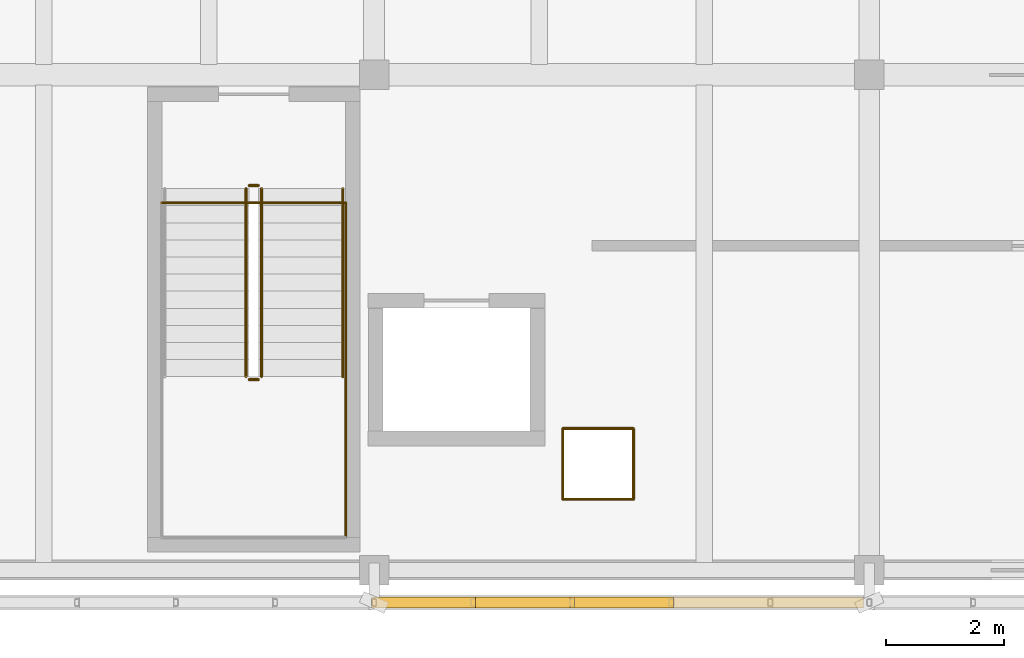
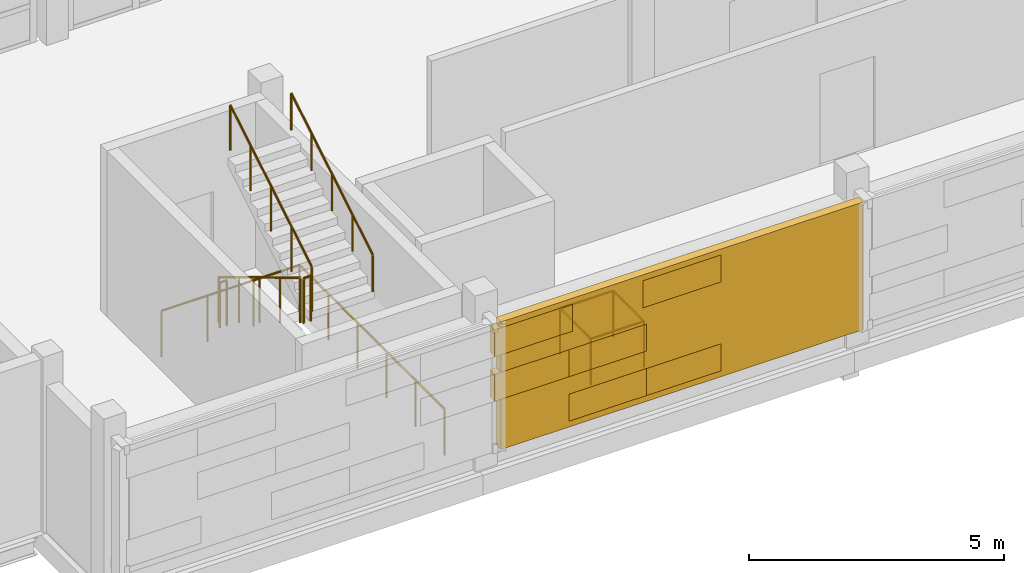
# One storey, part 121 of 137: 11 railings, 6 coverings, 1 shading device.
"""IFC4 building model written with IfcOpenShell, lengths in metres."""

from ifc_helpers import new_model, si_unit, direction, frame, origin, origin_2d, place, context, subcontext, project, spatial, rectangle, circle, extrude, material, layer, layer_set, type_object, element, save


model = new_model("IFC4")

# Units and contexts
model_context = context("Model", 3, precision=1e-05, world=origin(), true_north=direction((0.0, 1.0)))
body_context = subcontext(model_context, "Body", "Model", "MODEL_VIEW")
ifc_project = project(units=[si_unit("LENGTHUNIT", "METRE"), si_unit("AREAUNIT", "SQUARE_METRE"), si_unit("VOLUMEUNIT", "CUBIC_METRE"), si_unit("PLANEANGLEUNIT", "RADIAN"), si_unit("MASSUNIT", "GRAM", prefix="KILO")], contexts=[model_context])

# Site, building, storey
site_placement = place(None, origin())
site = spatial("IfcSite", under=ifc_project, at=site_placement, CompositionType="ELEMENT")
building_placement = place(site_placement, origin())
building = spatial("IfcBuilding", under=site, at=building_placement, Name="Cinderway Yard Community Centre", CompositionType="ELEMENT")
storey_placement = place(building_placement, frame((0.0, 0.0, 4.800048828125)))
storey = spatial("IfcBuildingStorey", under=building, at=storey_placement, Name="L01", CompositionType="ELEMENT", Elevation=4.800048828125)

# Coverings
ifc_material_1 = material(Name="Brick Masonry", Category="masonry")
ifc_layer = layer(ifc_material_1, 0.18994140625, Name="Brick Masonry")
ifc_layer_set = layer_set([ifc_layer], Name="Brick Masonry")
covering_type = type_object("IfcCoveringType", Name="ENV-COV-BRK-SCREEN", PredefinedType="CLADDING", material=ifc_layer_set)
for number, where, z_axis, x_axis, name in (
    (1, (69.320068359375, 5.449951171875, 0.7900390625), (0.0, 0.0, 1.0), (-1.0, 0.0, 0.0), "Open-bond perforated brick screen course 00762"),
    (2, (71.0, 5.449951171875, 0.7900390625), (0.0, 0.0, 1.0), (-1.0, 0.0, 0.0), "Open-bond perforated brick screen course 00763"),
    (3, (67.639892578125, 5.449951171875, 1.85205078125), (0.0, 0.0, 1.0), (-1.0, 0.0, 0.0), "Open-bond perforated brick screen course 00765"),
    (4, (69.320068359375, 5.449951171875, 1.85205078125), (0.0, 0.0, 1.0), (-1.0, 0.0, 0.0), "Open-bond perforated brick screen course 00766"),
    (5, (67.639892578125, 5.449951171875, 2.9140625), (0.0, 0.0, 1.0), (-1.0, 0.0, 0.0), "Open-bond perforated brick screen course 00769"),
    (6, (71.0, 5.449951171875, 2.9140625), (0.0, 0.0, 1.0), (-1.0, 0.0, 0.0), "Open-bond perforated brick screen course 00770"),
):
    element("IfcCovering", number, at=place(storey_placement, frame(where, z_axis=z_axis, x_axis=x_axis)), inside=storey, type_object=covering_type, Name=name, PredefinedType="CLADDING", context=body_context, shape_type="SweptSolid", body=[
        extrude(rectangle(XDim=1.760009765625, YDim=0.18994140625, at=origin_2d()), origin(), (0.0, 0.0, 1.0), 0.64599609375),
    ])

# Shading device
shading_device_type = type_object("IfcShadingDeviceType", Name="ENV-SHD-BRICKSCREEN-A", PredefinedType="USERDEFINED", material=ifc_material_1)
shading_device_placement = place(storey_placement, frame((71.0, 5.449951171875, 0.64990234375), z_axis=(0.0, 0.0, 1.0), x_axis=(-1.0, 0.0, 0.0)))
element("IfcShadingDevice", 7, at=shading_device_placement, inside=storey, type_object=shading_device_type, Name="South Rail-Yard Solar Screen 0560", ObjectType="PERFORATED BRICK SCREEN", PredefinedType="USERDEFINED", context=body_context, shape_type="SweptSolid", body=[
    extrude(rectangle(XDim=8.199951171875, YDim=0.18994140625, at=origin_2d()), origin(), (0.0, 0.0, 1.0), 3.050048828125),
])

# Railings
ifc_material_2 = material(Name="Painted Galvanised Steel", Category="steel")
railing_type_1 = type_object("IfcRailingType", Name="INT-RAL-GRD112", PredefinedType="GUARDRAIL", material=ifc_material_2)
railing_1_placement = place(storey_placement, frame((64.6298828125, 12.469970703125, 0.175048828125)))
element("IfcRailing", 8, at=railing_1_placement, inside=storey, type_object=railing_type_1, Name="L01 ST-09 stair guard 1", PredefinedType="GUARDRAIL", context=body_context, shape_type="SweptSolid", body=[
    extrude(circle(Radius=0.02392578125, at=origin_2d()), frame((0.0, 0.0, 1.076171875), z_axis=(0.0, -0.856206652436, 0.516633495163), x_axis=(1.0, 0.0, 0.0)), (0.0, 0.0, 1.0), 3.7255859375),
    extrude(circle(Radius=0.02099609375, at=origin_2d()), origin(), (0.0, 0.0, 1.0), 1.052001953125),
    extrude(circle(Radius=0.02099609375, at=origin_2d()), frame((0.0, -0.79736328125, 0.481201171875)), (0.0, 0.0, 1.0), 1.052001953125),
    extrude(circle(Radius=0.02099609375, at=origin_2d()), frame((0.0, -1.594970703125, 0.96240234375)), (0.0, 0.0, 1.0), 1.052001953125),
    extrude(circle(Radius=0.02099609375, at=origin_2d()), frame((0.0, -2.392578125, 1.443603515625)), (0.0, 0.0, 1.0), 1.052001953125),
    extrude(circle(Radius=0.02099609375, at=origin_2d()), frame((0.0, -3.18994140625, 1.9248046875)), (0.0, 0.0, 1.0), 1.052001953125),
])
railing_2_placement = place(storey_placement, frame((64.679931640625, 9.22998046875, 2.099853515625)))
element("IfcRailing", 9, at=railing_2_placement, inside=storey, type_object=railing_type_1, Name="L01 ST-09 stair guard 2", PredefinedType="GUARDRAIL", context=body_context, shape_type="SweptSolid", body=[
    extrude(circle(Radius=0.02392578125, at=origin_2d()), frame((0.0, 0.0, 1.076171875), z_axis=(1.0, 0.0, 0.0), x_axis=(0.0, 1.0, 0.0)), (0.0, 0.0, 1.0), 0.16015625),
    extrude(circle(Radius=0.02099609375, at=origin_2d()), origin(), (0.0, 0.0, 1.0), 1.052001953125),
    extrude(circle(Radius=0.02099609375, at=origin_2d()), frame((0.16015625, 0.0, 0.0)), (0.0, 0.0, 1.0), 1.052001953125),
])
railing_3_placement = place(storey_placement, frame((64.889892578125, 9.280029296875, 2.27490234375)))
element("IfcRailing", 10, at=railing_3_placement, inside=storey, type_object=railing_type_1, Name="L01 ST-09 stair guard 3", PredefinedType="GUARDRAIL", context=body_context, shape_type="SweptSolid", body=[
    extrude(circle(Radius=0.02392578125, at=origin_2d()), frame((0.0, 0.0, 1.076171875), z_axis=(0.0, 0.856177665481, 0.516681531633), x_axis=(-1.0, 0.0, 0.0)), (0.0, 0.0, 1.0), 3.725830078125),
    extrude(circle(Radius=0.02099609375, at=origin_2d()), origin(), (0.0, 0.0, 1.0), 1.052001953125),
    extrude(circle(Radius=0.02099609375, at=origin_2d()), frame((0.0, 0.79736328125, 0.481201171875)), (0.0, 0.0, 1.0), 1.052001953125),
    extrude(circle(Radius=0.02099609375, at=origin_2d()), frame((0.0, 1.594970703125, 0.96240234375)), (0.0, 0.0, 1.0), 1.052001953125),
    extrude(circle(Radius=0.02099609375, at=origin_2d()), frame((0.0, 2.392578125, 1.44384765625)), (0.0, 0.0, 1.0), 1.052001953125),
    extrude(circle(Radius=0.02099609375, at=origin_2d()), frame((0.0, 3.18994140625, 1.925048828125)), (0.0, 0.0, 1.0), 1.052001953125),
])
railing_4_placement = place(storey_placement, frame((64.679931640625, 12.52001953125, 0.0)))
element("IfcRailing", 11, at=railing_4_placement, inside=storey, type_object=railing_type_1, Name="L01 ST-09 stair guard 4", PredefinedType="GUARDRAIL", context=body_context, shape_type="SweptSolid", body=[
    extrude(circle(Radius=0.02392578125, at=origin_2d()), frame((0.0, 0.0, 1.076171875), z_axis=(1.0, 0.0, 0.0), x_axis=(0.0, 1.0, 0.0)), (0.0, 0.0, 1.0), 0.16015625),
    extrude(circle(Radius=0.02099609375, at=origin_2d()), origin(), (0.0, 0.0, 1.0), 1.052001953125),
    extrude(circle(Radius=0.02099609375, at=origin_2d()), frame((0.16015625, 0.0, 0.0)), (0.0, 0.0, 1.0), 1.052001953125),
])
railing_5_placement = place(storey_placement, frame((66.320068359375, 6.550048828125, 0.0)))
element("IfcRailing", 12, at=railing_5_placement, inside=storey, type_object=railing_type_1, Name="Service void perimeter guard L01 073", PredefinedType="GUARDRAIL", context=body_context, shape_type="SweptSolid", body=[
    extrude(circle(Radius=0.02392578125, at=origin_2d()), frame((0.0, 0.0, 1.09619140625), z_axis=(0.0, 1.0, 0.0), x_axis=(-1.0, 0.0, 0.0)), (0.0, 0.0, 1.0), 5.679931640625),
    extrude(circle(Radius=0.02099609375, at=origin_2d()), origin(), (0.0, 0.0, 1.0), 1.072021484375),
    extrude(circle(Radius=0.02099609375, at=origin_2d()), frame((0.0, 1.135986328125, 0.0)), (0.0, 0.0, 1.0), 1.072021484375),
    extrude(circle(Radius=0.02099609375, at=origin_2d()), frame((0.0, 2.27197265625, 0.0)), (0.0, 0.0, 1.0), 1.072021484375),
    extrude(circle(Radius=0.02099609375, at=origin_2d()), frame((0.0, 3.407958984375, 0.0)), (0.0, 0.0, 1.0), 1.072021484375),
    extrude(circle(Radius=0.02099609375, at=origin_2d()), frame((0.0, 4.5439453125, 0.0)), (0.0, 0.0, 1.0), 1.072021484375),
    extrude(circle(Radius=0.02099609375, at=origin_2d()), frame((0.0, 5.679931640625, 0.0)), (0.0, 0.0, 1.0), 1.072021484375),
])
railing_6_placement = place(storey_placement, frame((66.320068359375, 12.22998046875, 0.0)))
element("IfcRailing", 13, at=railing_6_placement, inside=storey, type_object=railing_type_1, Name="Service void perimeter guard L01 074", PredefinedType="GUARDRAIL", context=body_context, shape_type="SweptSolid", body=[
    extrude(circle(Radius=0.02392578125, at=origin_2d()), frame((0.0, 0.0, 1.09619140625), z_axis=(-1.0, 0.0, 0.0), x_axis=(0.0, -1.0, 0.0)), (0.0, 0.0, 1.0), 3.1201171875),
    extrude(circle(Radius=0.02099609375, at=origin_2d()), origin(), (0.0, 0.0, 1.0), 1.072021484375),
    extrude(circle(Radius=0.02099609375, at=origin_2d()), frame((-1.0400390625, 0.0, 0.0)), (0.0, 0.0, 1.0), 1.072021484375),
    extrude(circle(Radius=0.02099609375, at=origin_2d()), frame((-2.080078125, 0.0, 0.0)), (0.0, 0.0, 1.0), 1.072021484375),
    extrude(circle(Radius=0.02099609375, at=origin_2d()), frame((-3.1201171875, 0.0, 0.0)), (0.0, 0.0, 1.0), 1.072021484375),
])
railing_7_placement = place(storey_placement, frame((70.0, 7.199951171875, 0.0)))
element("IfcRailing", 14, at=railing_7_placement, inside=storey, type_object=railing_type_1, Name="Service void perimeter guard L01 075", PredefinedType="GUARDRAIL", context=body_context, shape_type="SweptSolid", body=[
    extrude(circle(Radius=0.02392578125, at=origin_2d()), frame((0.0, 0.0, 1.09619140625), z_axis=(1.0, 0.0, 0.0), x_axis=(0.0, 1.0, 0.0)), (0.0, 0.0, 1.0), 1.199951171875),
    extrude(circle(Radius=0.02099609375, at=origin_2d()), origin(), (0.0, 0.0, 1.0), 1.072021484375),
    extrude(circle(Radius=0.02099609375, at=origin_2d()), frame((1.199951171875, 0.0, 0.0)), (0.0, 0.0, 1.0), 1.072021484375),
])
railing_8_placement = place(storey_placement, frame((71.199951171875, 7.199951171875, 0.0)))
element("IfcRailing", 15, at=railing_8_placement, inside=storey, type_object=railing_type_1, Name="Service void perimeter guard L01 076", PredefinedType="GUARDRAIL", context=body_context, shape_type="SweptSolid", body=[
    extrude(circle(Radius=0.02392578125, at=origin_2d()), frame((0.0, 0.0, 1.09619140625), z_axis=(0.0, 1.0, 0.0), x_axis=(-1.0, 0.0, 0.0)), (0.0, 0.0, 1.0), 1.199951171875),
    extrude(circle(Radius=0.02099609375, at=origin_2d()), origin(), (0.0, 0.0, 1.0), 1.072021484375),
    extrude(circle(Radius=0.02099609375, at=origin_2d()), frame((0.0, 1.199951171875, 0.0)), (0.0, 0.0, 1.0), 1.072021484375),
])
railing_9_placement = place(storey_placement, frame((71.199951171875, 8.39990234375, 0.0)))
element("IfcRailing", 16, at=railing_9_placement, inside=storey, type_object=railing_type_1, Name="Service void perimeter guard L01 077", PredefinedType="GUARDRAIL", context=body_context, shape_type="SweptSolid", body=[
    extrude(circle(Radius=0.02392578125, at=origin_2d()), frame((0.0, 0.0, 1.09619140625), z_axis=(-1.0, 0.0, 0.0), x_axis=(0.0, -1.0, 0.0)), (0.0, 0.0, 1.0), 1.199951171875),
    extrude(circle(Radius=0.02099609375, at=origin_2d()), origin(), (0.0, 0.0, 1.0), 1.072021484375),
    extrude(circle(Radius=0.02099609375, at=origin_2d()), frame((-1.199951171875, 0.0, 0.0)), (0.0, 0.0, 1.0), 1.072021484375),
])
railing_10_placement = place(storey_placement, frame((70.0, 8.39990234375, 0.0)))
element("IfcRailing", 17, at=railing_10_placement, inside=storey, type_object=railing_type_1, Name="Service void perimeter guard L01 078", PredefinedType="GUARDRAIL", context=body_context, shape_type="SweptSolid", body=[
    extrude(circle(Radius=0.02392578125, at=origin_2d()), frame((0.0, 0.0, 1.09619140625), z_axis=(0.0, -1.0, 0.0), x_axis=(1.0, 0.0, 0.0)), (0.0, 0.0, 1.0), 1.199951171875),
    extrude(circle(Radius=0.02099609375, at=origin_2d()), origin(), (0.0, 0.0, 1.0), 1.072021484375),
    extrude(circle(Radius=0.02099609375, at=origin_2d()), frame((0.0, -1.199951171875, 0.0)), (0.0, 0.0, 1.0), 1.072021484375),
])
railing_type_2 = type_object("IfcRailingType", Name="INT-RAL-HND090", PredefinedType="HANDRAIL", material=ifc_material_2)
railing_11_placement = place(storey_placement, frame((66.27001953125, 9.280029296875, 2.27490234375)))
element("IfcRailing", 18, at=railing_11_placement, inside=storey, type_object=railing_type_2, Name="L01 ST-09 stair handrail 2", PredefinedType="HANDRAIL", context=body_context, shape_type="SweptSolid", body=[
    extrude(circle(Radius=0.02392578125, at=origin_2d()), frame((0.0, 0.0, 0.8759765625), z_axis=(0.0, 0.856177665481, 0.516681531633), x_axis=(-1.0, 0.0, 0.0)), (0.0, 0.0, 1.0), 3.725830078125),
    extrude(circle(Radius=0.02099609375, at=origin_2d()), origin(), (0.0, 0.0, 1.0), 0.851806640625),
    extrude(circle(Radius=0.02099609375, at=origin_2d()), frame((0.0, 0.79736328125, 0.481201171875)), (0.0, 0.0, 1.0), 0.851806640625),
    extrude(circle(Radius=0.02099609375, at=origin_2d()), frame((0.0, 1.594970703125, 0.96240234375)), (0.0, 0.0, 1.0), 0.851806640625),
    extrude(circle(Radius=0.02099609375, at=origin_2d()), frame((0.0, 2.392578125, 1.44384765625)), (0.0, 0.0, 1.0), 0.851806640625),
    extrude(circle(Radius=0.02099609375, at=origin_2d()), frame((0.0, 3.18994140625, 1.925048828125)), (0.0, 0.0, 1.0), 0.851806640625),
])

save(model, "model.ifc")
